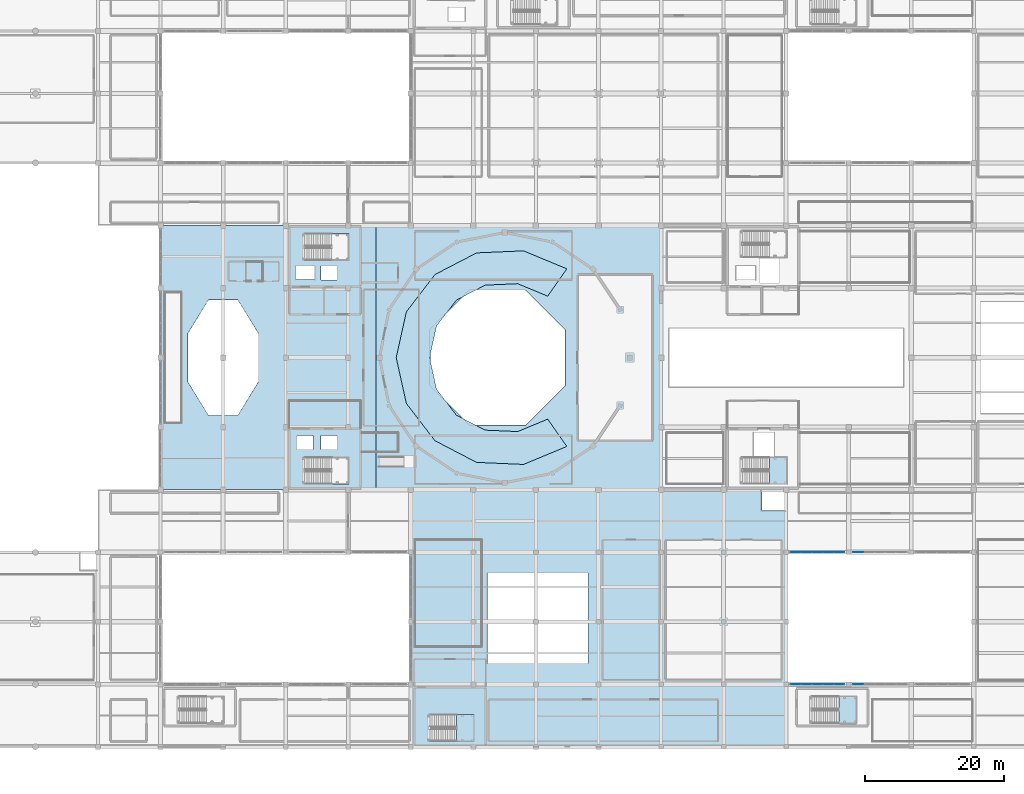
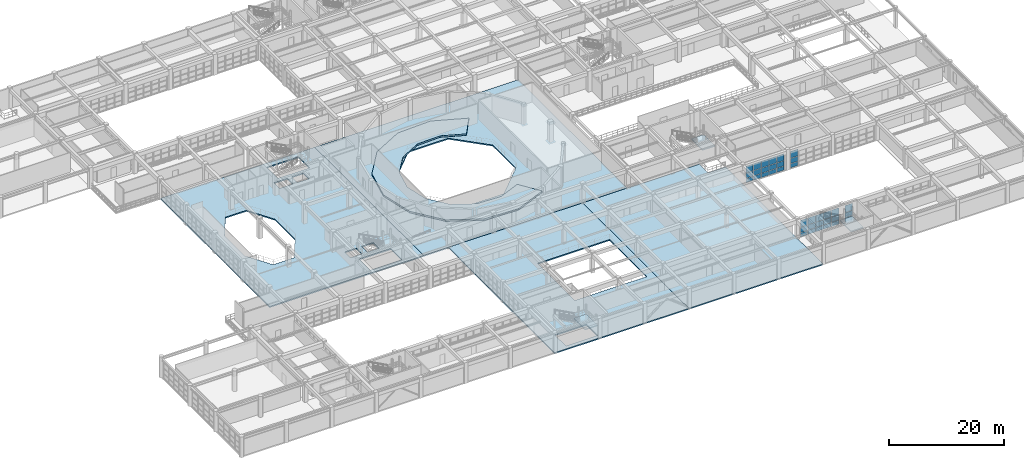
# One storey, part 93 of 133: 36 plates, 8 slabs, 7 elements without a shape of their own.
"""IFC4 building model written with IfcOpenShell, lengths in metres."""

from ifc_helpers import new_model, si_unit, direction, frame, origin, origin_2d, place, context, subcontext, project, spatial, polyline, rectangle, outline, extrude, material, layer, layer_set, type_object, element, aggregate, save


model = new_model("IFC4")

# Units and contexts
model_context = context("Model", 3, precision=1e-05, world=origin(), true_north=direction((0.0, 1.0)))
body_context = subcontext(model_context, "Body", "Model", "MODEL_VIEW")
ifc_project = project(units=[si_unit("LENGTHUNIT", "METRE"), si_unit("AREAUNIT", "SQUARE_METRE"), si_unit("VOLUMEUNIT", "CUBIC_METRE"), si_unit("PLANEANGLEUNIT", "RADIAN"), si_unit("MASSUNIT", "GRAM", prefix="KILO")], contexts=[model_context])

# Site, building, storey
site_placement = place(None, origin())
site = spatial("IfcSite", under=ifc_project, at=site_placement, CompositionType="ELEMENT")
building_placement = place(site_placement, origin())
building = spatial("IfcBuilding", under=site, at=building_placement, Name="Miravela Opera House", CompositionType="ELEMENT")
storey_placement = place(building_placement, frame((0.0, 0.0, 5.10009765625)))
storey = spatial("IfcBuildingStorey", under=building, at=storey_placement, Name="L01", CompositionType="ELEMENT", Elevation=5.10009765625)

# Curtain wall, plates
ifc_material_1 = material(Name="Anodised architectural bronze aluminium 6063-T6", Category="aluminium")
curtain_wall_type = type_object("IfcCurtainWallType", Name="ARC-CW-06", PredefinedType="NOTDEFINED", material=ifc_material_1)
curtain_wall_1_placement = place(storey_placement, origin())
curtain_wall_1 = element("IfcCurtainWall", 1, at=curtain_wall_1_placement, inside=storey, type_object=curtain_wall_type, Name="Courtyard Arcade Curtain Wall CW-L01-170", PredefinedType="NOTDEFINED")
ifc_material_2 = material(Name="Acoustic laminated low-E insulating glass", Category="glass")
ifc_layer_1 = layer(ifc_material_2, 0.028076171875)
ifc_layer_set_1 = layer_set([ifc_layer_1])
plate_type = type_object("IfcPlateType", Name="ARC-CWP-28", PredefinedType="CURTAIN_PANEL", material=ifc_layer_set_1)
plate_1_placement = place(storey_placement, frame((118.37890625, 28.0, 0.06005859375), z_axis=(0.0, 0.0, 1.0), x_axis=(1.0, 0.0, 0.0)))
plate_1 = element("IfcPlate", 2, at=plate_1_placement, type_object=plate_type, Name="CW-06 panel 1.1", PredefinedType="CURTAIN_PANEL", context=body_context, shape_type="SweptSolid", body=[
    extrude(rectangle(XDim=1.47802734375, YDim=0.028076171875, at=origin_2d()), origin(), (0.0, 0.0, 1.0), 0.860107421875),
])
plate_2_placement = place(storey_placement, frame((118.37890625, 28.0, 0.97998046875), z_axis=(0.0, 0.0, 1.0), x_axis=(1.0, 0.0, 0.0)))
plate_2 = element("IfcPlate", 3, at=plate_2_placement, type_object=plate_type, Name="CW-06 panel 1.2", PredefinedType="CURTAIN_PANEL", context=body_context, shape_type="SweptSolid", body=[
    extrude(rectangle(XDim=1.47802734375, YDim=0.028076171875, at=origin_2d()), origin(), (0.0, 0.0, 1.0), 1.083740234375),
])
plate_3_placement = place(storey_placement, frame((118.37890625, 28.0, 2.123779296875), z_axis=(0.0, 0.0, 1.0), x_axis=(1.0, 0.0, 0.0)))
plate_3 = element("IfcPlate", 4, at=plate_3_placement, type_object=plate_type, Name="CW-06 panel 1.3", PredefinedType="CURTAIN_PANEL", context=body_context, shape_type="SweptSolid", body=[
    extrude(rectangle(XDim=1.47802734375, YDim=0.028076171875, at=origin_2d()), origin(), (0.0, 0.0, 1.0), 1.42626953125),
])
plate_4_placement = place(storey_placement, frame((119.931884765625, 28.0, 0.06005859375), z_axis=(0.0, 0.0, 1.0), x_axis=(1.0, 0.0, 0.0)))
plate_4 = element("IfcPlate", 5, at=plate_4_placement, type_object=plate_type, Name="CW-06 panel 2.1", PredefinedType="CURTAIN_PANEL", context=body_context, shape_type="SweptSolid", body=[
    extrude(rectangle(XDim=1.508056640625, YDim=0.028076171875, at=origin_2d()), origin(), (0.0, 0.0, 1.0), 0.860107421875),
])
plate_5_placement = place(storey_placement, frame((119.931884765625, 28.0, 0.97998046875), z_axis=(0.0, 0.0, 1.0), x_axis=(1.0, 0.0, 0.0)))
plate_5 = element("IfcPlate", 6, at=plate_5_placement, type_object=plate_type, Name="CW-06 panel 2.2", PredefinedType="CURTAIN_PANEL", context=body_context, shape_type="SweptSolid", body=[
    extrude(rectangle(XDim=1.508056640625, YDim=0.028076171875, at=origin_2d()), origin(), (0.0, 0.0, 1.0), 1.083740234375),
])
plate_6_placement = place(storey_placement, frame((119.931884765625, 28.0, 2.123779296875), z_axis=(0.0, 0.0, 1.0), x_axis=(1.0, 0.0, 0.0)))
plate_6 = element("IfcPlate", 7, at=plate_6_placement, type_object=plate_type, Name="CW-06 panel 2.3", PredefinedType="CURTAIN_PANEL", context=body_context, shape_type="SweptSolid", body=[
    extrude(rectangle(XDim=1.508056640625, YDim=0.028076171875, at=origin_2d()), origin(), (0.0, 0.0, 1.0), 1.42626953125),
])
plate_7_placement = place(storey_placement, frame((121.5, 28.0, 0.06005859375), z_axis=(0.0, 0.0, 1.0), x_axis=(1.0, 0.0, 0.0)))
plate_7 = element("IfcPlate", 8, at=plate_7_placement, type_object=plate_type, Name="CW-06 panel 3.1", PredefinedType="CURTAIN_PANEL", context=body_context, shape_type="SweptSolid", body=[
    extrude(rectangle(XDim=1.508056640625, YDim=0.028076171875, at=origin_2d()), origin(), (0.0, 0.0, 1.0), 0.860107421875),
])
plate_8_placement = place(storey_placement, frame((121.5, 28.0, 0.97998046875), z_axis=(0.0, 0.0, 1.0), x_axis=(1.0, 0.0, 0.0)))
plate_8 = element("IfcPlate", 9, at=plate_8_placement, type_object=plate_type, Name="CW-06 panel 3.2", PredefinedType="CURTAIN_PANEL", context=body_context, shape_type="SweptSolid", body=[
    extrude(rectangle(XDim=1.508056640625, YDim=0.028076171875, at=origin_2d()), origin(), (0.0, 0.0, 1.0), 1.083740234375),
])
plate_9_placement = place(storey_placement, frame((121.5, 28.0, 2.123779296875), z_axis=(0.0, 0.0, 1.0), x_axis=(1.0, 0.0, 0.0)))
plate_9 = element("IfcPlate", 10, at=plate_9_placement, type_object=plate_type, Name="CW-06 panel 3.3", PredefinedType="CURTAIN_PANEL", context=body_context, shape_type="SweptSolid", body=[
    extrude(rectangle(XDim=1.508056640625, YDim=0.028076171875, at=origin_2d()), origin(), (0.0, 0.0, 1.0), 1.42626953125),
])
plate_10_placement = place(storey_placement, frame((123.068115234375, 28.0, 0.06005859375), z_axis=(0.0, 0.0, 1.0), x_axis=(1.0, 0.0, 0.0)))
plate_10 = element("IfcPlate", 11, at=plate_10_placement, type_object=plate_type, Name="CW-06 panel 4.1", PredefinedType="CURTAIN_PANEL", context=body_context, shape_type="SweptSolid", body=[
    extrude(rectangle(XDim=1.508056640625, YDim=0.028076171875, at=origin_2d()), origin(), (0.0, 0.0, 1.0), 0.860107421875),
])
plate_11_placement = place(storey_placement, frame((123.068115234375, 28.0, 0.97998046875), z_axis=(0.0, 0.0, 1.0), x_axis=(1.0, 0.0, 0.0)))
plate_11 = element("IfcPlate", 12, at=plate_11_placement, type_object=plate_type, Name="CW-06 panel 4.2", PredefinedType="CURTAIN_PANEL", context=body_context, shape_type="SweptSolid", body=[
    extrude(rectangle(XDim=1.508056640625, YDim=0.028076171875, at=origin_2d()), origin(), (0.0, 0.0, 1.0), 1.083740234375),
])
plate_12_placement = place(storey_placement, frame((123.068115234375, 28.0, 2.123779296875), z_axis=(0.0, 0.0, 1.0), x_axis=(1.0, 0.0, 0.0)))
plate_12 = element("IfcPlate", 13, at=plate_12_placement, type_object=plate_type, Name="CW-06 panel 4.3", PredefinedType="CURTAIN_PANEL", context=body_context, shape_type="SweptSolid", body=[
    extrude(rectangle(XDim=1.508056640625, YDim=0.028076171875, at=origin_2d()), origin(), (0.0, 0.0, 1.0), 1.42626953125),
])
plate_13_placement = place(storey_placement, frame((124.62109375, 28.0, 0.06005859375), z_axis=(0.0, 0.0, 1.0), x_axis=(1.0, 0.0, 0.0)))
plate_13 = element("IfcPlate", 14, at=plate_13_placement, type_object=plate_type, Name="CW-06 panel 5.1", PredefinedType="CURTAIN_PANEL", context=body_context, shape_type="SweptSolid", body=[
    extrude(rectangle(XDim=1.47802734375, YDim=0.028076171875, at=origin_2d()), origin(), (0.0, 0.0, 1.0), 0.860107421875),
])
plate_14_placement = place(storey_placement, frame((124.62109375, 28.0, 0.97998046875), z_axis=(0.0, 0.0, 1.0), x_axis=(1.0, 0.0, 0.0)))
plate_14 = element("IfcPlate", 15, at=plate_14_placement, type_object=plate_type, Name="CW-06 panel 5.2", PredefinedType="CURTAIN_PANEL", context=body_context, shape_type="SweptSolid", body=[
    extrude(rectangle(XDim=1.47802734375, YDim=0.028076171875, at=origin_2d()), origin(), (0.0, 0.0, 1.0), 1.083740234375),
])
plate_15_placement = place(storey_placement, frame((124.62109375, 28.0, 2.123779296875), z_axis=(0.0, 0.0, 1.0), x_axis=(1.0, 0.0, 0.0)))
plate_15 = element("IfcPlate", 16, at=plate_15_placement, type_object=plate_type, Name="CW-06 panel 5.3", PredefinedType="CURTAIN_PANEL", context=body_context, shape_type="SweptSolid", body=[
    extrude(rectangle(XDim=1.47802734375, YDim=0.028076171875, at=origin_2d()), origin(), (0.0, 0.0, 1.0), 1.42626953125),
])
aggregate(curtain_wall_1, [plate_1, plate_2, plate_3, plate_4, plate_5, plate_6, plate_7, plate_8, plate_9, plate_10, plate_11, plate_12, plate_13, plate_14, plate_15])

curtain_wall_2_placement = place(storey_placement, origin())
curtain_wall_2 = element("IfcCurtainWall", 17, at=curtain_wall_2_placement, inside=storey, type_object=curtain_wall_type, Name="Courtyard Arcade Curtain Wall CW-L01-171", PredefinedType="NOTDEFINED")
plate_16_placement = place(storey_placement, frame((118.37890625, 9.0, 0.06005859375), z_axis=(0.0, 0.0, 1.0), x_axis=(1.0, 0.0, 0.0)))
plate_16 = element("IfcPlate", 18, at=plate_16_placement, type_object=plate_type, Name="CW-06 panel 1.1", PredefinedType="CURTAIN_PANEL", context=body_context, shape_type="SweptSolid", body=[
    extrude(rectangle(XDim=1.47802734375, YDim=0.028076171875, at=origin_2d()), origin(), (0.0, 0.0, 1.0), 0.860107421875),
])
plate_17_placement = place(storey_placement, frame((118.37890625, 9.0, 0.97998046875), z_axis=(0.0, 0.0, 1.0), x_axis=(1.0, 0.0, 0.0)))
plate_17 = element("IfcPlate", 19, at=plate_17_placement, type_object=plate_type, Name="CW-06 panel 1.2", PredefinedType="CURTAIN_PANEL", context=body_context, shape_type="SweptSolid", body=[
    extrude(rectangle(XDim=1.47802734375, YDim=0.028076171875, at=origin_2d()), origin(), (0.0, 0.0, 1.0), 1.083740234375),
])
plate_18_placement = place(storey_placement, frame((118.37890625, 9.0, 2.123779296875), z_axis=(0.0, 0.0, 1.0), x_axis=(1.0, 0.0, 0.0)))
plate_18 = element("IfcPlate", 20, at=plate_18_placement, type_object=plate_type, Name="CW-06 panel 1.3", PredefinedType="CURTAIN_PANEL", context=body_context, shape_type="SweptSolid", body=[
    extrude(rectangle(XDim=1.47802734375, YDim=0.028076171875, at=origin_2d()), origin(), (0.0, 0.0, 1.0), 1.42626953125),
])
plate_19_placement = place(storey_placement, frame((119.931884765625, 9.0, 0.06005859375), z_axis=(0.0, 0.0, 1.0), x_axis=(1.0, 0.0, 0.0)))
plate_19 = element("IfcPlate", 21, at=plate_19_placement, type_object=plate_type, Name="CW-06 panel 2.1", PredefinedType="CURTAIN_PANEL", context=body_context, shape_type="SweptSolid", body=[
    extrude(rectangle(XDim=1.508056640625, YDim=0.028076171875, at=origin_2d()), origin(), (0.0, 0.0, 1.0), 0.860107421875),
])
plate_20_placement = place(storey_placement, frame((119.931884765625, 9.0, 0.97998046875), z_axis=(0.0, 0.0, 1.0), x_axis=(1.0, 0.0, 0.0)))
plate_20 = element("IfcPlate", 22, at=plate_20_placement, type_object=plate_type, Name="CW-06 panel 2.2", PredefinedType="CURTAIN_PANEL", context=body_context, shape_type="SweptSolid", body=[
    extrude(rectangle(XDim=1.508056640625, YDim=0.028076171875, at=origin_2d()), origin(), (0.0, 0.0, 1.0), 1.083740234375),
])
plate_21_placement = place(storey_placement, frame((119.931884765625, 9.0, 2.123779296875), z_axis=(0.0, 0.0, 1.0), x_axis=(1.0, 0.0, 0.0)))
plate_21 = element("IfcPlate", 23, at=plate_21_placement, type_object=plate_type, Name="CW-06 panel 2.3", PredefinedType="CURTAIN_PANEL", context=body_context, shape_type="SweptSolid", body=[
    extrude(rectangle(XDim=1.508056640625, YDim=0.028076171875, at=origin_2d()), origin(), (0.0, 0.0, 1.0), 1.42626953125),
])
plate_22_placement = place(storey_placement, frame((121.5, 9.0, 0.06005859375), z_axis=(0.0, 0.0, 1.0), x_axis=(1.0, 0.0, 0.0)))
plate_22 = element("IfcPlate", 24, at=plate_22_placement, type_object=plate_type, Name="CW-06 panel 3.1", PredefinedType="CURTAIN_PANEL", context=body_context, shape_type="SweptSolid", body=[
    extrude(rectangle(XDim=1.508056640625, YDim=0.028076171875, at=origin_2d()), origin(), (0.0, 0.0, 1.0), 0.860107421875),
])
plate_23_placement = place(storey_placement, frame((121.5, 9.0, 0.97998046875), z_axis=(0.0, 0.0, 1.0), x_axis=(1.0, 0.0, 0.0)))
plate_23 = element("IfcPlate", 25, at=plate_23_placement, type_object=plate_type, Name="CW-06 panel 3.2", PredefinedType="CURTAIN_PANEL", context=body_context, shape_type="SweptSolid", body=[
    extrude(rectangle(XDim=1.508056640625, YDim=0.028076171875, at=origin_2d()), origin(), (0.0, 0.0, 1.0), 1.083740234375),
])
plate_24_placement = place(storey_placement, frame((121.5, 9.0, 2.123779296875), z_axis=(0.0, 0.0, 1.0), x_axis=(1.0, 0.0, 0.0)))
plate_24 = element("IfcPlate", 26, at=plate_24_placement, type_object=plate_type, Name="CW-06 panel 3.3", PredefinedType="CURTAIN_PANEL", context=body_context, shape_type="SweptSolid", body=[
    extrude(rectangle(XDim=1.508056640625, YDim=0.028076171875, at=origin_2d()), origin(), (0.0, 0.0, 1.0), 1.42626953125),
])
plate_25_placement = place(storey_placement, frame((123.068115234375, 9.0, 0.06005859375), z_axis=(0.0, 0.0, 1.0), x_axis=(1.0, 0.0, 0.0)))
plate_25 = element("IfcPlate", 27, at=plate_25_placement, type_object=plate_type, Name="CW-06 panel 4.1", PredefinedType="CURTAIN_PANEL", context=body_context, shape_type="SweptSolid", body=[
    extrude(rectangle(XDim=1.508056640625, YDim=0.028076171875, at=origin_2d()), origin(), (0.0, 0.0, 1.0), 0.860107421875),
])
plate_26_placement = place(storey_placement, frame((123.068115234375, 9.0, 0.97998046875), z_axis=(0.0, 0.0, 1.0), x_axis=(1.0, 0.0, 0.0)))
plate_26 = element("IfcPlate", 28, at=plate_26_placement, type_object=plate_type, Name="CW-06 panel 4.2", PredefinedType="CURTAIN_PANEL", context=body_context, shape_type="SweptSolid", body=[
    extrude(rectangle(XDim=1.508056640625, YDim=0.028076171875, at=origin_2d()), origin(), (0.0, 0.0, 1.0), 1.083740234375),
])
plate_27_placement = place(storey_placement, frame((123.068115234375, 9.0, 2.123779296875), z_axis=(0.0, 0.0, 1.0), x_axis=(1.0, 0.0, 0.0)))
plate_27 = element("IfcPlate", 29, at=plate_27_placement, type_object=plate_type, Name="CW-06 panel 4.3", PredefinedType="CURTAIN_PANEL", context=body_context, shape_type="SweptSolid", body=[
    extrude(rectangle(XDim=1.508056640625, YDim=0.028076171875, at=origin_2d()), origin(), (0.0, 0.0, 1.0), 1.42626953125),
])
plate_28_placement = place(storey_placement, frame((124.62109375, 9.0, 0.06005859375), z_axis=(0.0, 0.0, 1.0), x_axis=(1.0, 0.0, 0.0)))
plate_28 = element("IfcPlate", 30, at=plate_28_placement, type_object=plate_type, Name="CW-06 panel 5.1", PredefinedType="CURTAIN_PANEL", context=body_context, shape_type="SweptSolid", body=[
    extrude(rectangle(XDim=1.47802734375, YDim=0.028076171875, at=origin_2d()), origin(), (0.0, 0.0, 1.0), 0.860107421875),
])
plate_29_placement = place(storey_placement, frame((124.62109375, 9.0, 0.97998046875), z_axis=(0.0, 0.0, 1.0), x_axis=(1.0, 0.0, 0.0)))
plate_29 = element("IfcPlate", 31, at=plate_29_placement, type_object=plate_type, Name="CW-06 panel 5.2", PredefinedType="CURTAIN_PANEL", context=body_context, shape_type="SweptSolid", body=[
    extrude(rectangle(XDim=1.47802734375, YDim=0.028076171875, at=origin_2d()), origin(), (0.0, 0.0, 1.0), 1.083740234375),
])
plate_30_placement = place(storey_placement, frame((124.62109375, 9.0, 2.123779296875), z_axis=(0.0, 0.0, 1.0), x_axis=(1.0, 0.0, 0.0)))
plate_30 = element("IfcPlate", 32, at=plate_30_placement, type_object=plate_type, Name="CW-06 panel 5.3", PredefinedType="CURTAIN_PANEL", context=body_context, shape_type="SweptSolid", body=[
    extrude(rectangle(XDim=1.47802734375, YDim=0.028076171875, at=origin_2d()), origin(), (0.0, 0.0, 1.0), 1.42626953125),
])
aggregate(curtain_wall_2, [plate_16, plate_17, plate_18, plate_19, plate_20, plate_21, plate_22, plate_23, plate_24, plate_25, plate_26, plate_27, plate_28, plate_29, plate_30])

curtain_wall_3_placement = place(storey_placement, origin())
curtain_wall_3 = element("IfcCurtainWall", 33, at=curtain_wall_3_placement, inside=storey, type_object=curtain_wall_type, Name="Courtyard Arcade Curtain Wall CW-L01-174", PredefinedType="NOTDEFINED")
plate_31_placement = place(storey_placement, frame((127.37890625, 28.0, 0.06005859375), z_axis=(0.0, 0.0, 1.0), x_axis=(1.0, 0.0, 0.0)))
plate_31 = element("IfcPlate", 34, at=plate_31_placement, type_object=plate_type, Name="CW-06 panel 1.1", PredefinedType="CURTAIN_PANEL", context=body_context, shape_type="SweptSolid", body=[
    extrude(rectangle(XDim=1.47802734375, YDim=0.028076171875, at=origin_2d()), origin(), (0.0, 0.0, 1.0), 0.860107421875),
])
plate_32_placement = place(storey_placement, frame((127.37890625, 28.0, 0.97998046875), z_axis=(0.0, 0.0, 1.0), x_axis=(1.0, 0.0, 0.0)))
plate_32 = element("IfcPlate", 35, at=plate_32_placement, type_object=plate_type, Name="CW-06 panel 1.2", PredefinedType="CURTAIN_PANEL", context=body_context, shape_type="SweptSolid", body=[
    extrude(rectangle(XDim=1.47802734375, YDim=0.028076171875, at=origin_2d()), origin(), (0.0, 0.0, 1.0), 1.083740234375),
])
plate_33_placement = place(storey_placement, frame((127.37890625, 28.0, 2.123779296875), z_axis=(0.0, 0.0, 1.0), x_axis=(1.0, 0.0, 0.0)))
plate_33 = element("IfcPlate", 36, at=plate_33_placement, type_object=plate_type, Name="CW-06 panel 1.3", PredefinedType="CURTAIN_PANEL", context=body_context, shape_type="SweptSolid", body=[
    extrude(rectangle(XDim=1.47802734375, YDim=0.028076171875, at=origin_2d()), origin(), (0.0, 0.0, 1.0), 1.42626953125),
])
aggregate(curtain_wall_3, [plate_31, plate_32, plate_33])

curtain_wall_4_placement = place(storey_placement, origin())
curtain_wall_4 = element("IfcCurtainWall", 37, at=curtain_wall_4_placement, inside=storey, type_object=curtain_wall_type, Name="Courtyard Arcade Curtain Wall CW-L01-175", PredefinedType="NOTDEFINED")
plate_34_placement = place(storey_placement, frame((127.37890625, 9.0, 0.06005859375), z_axis=(0.0, 0.0, 1.0), x_axis=(1.0, 0.0, 0.0)))
plate_34 = element("IfcPlate", 38, at=plate_34_placement, type_object=plate_type, Name="CW-06 panel 1.1", PredefinedType="CURTAIN_PANEL", context=body_context, shape_type="SweptSolid", body=[
    extrude(rectangle(XDim=1.47802734375, YDim=0.028076171875, at=origin_2d()), origin(), (0.0, 0.0, 1.0), 0.860107421875),
])
plate_35_placement = place(storey_placement, frame((127.37890625, 9.0, 0.97998046875), z_axis=(0.0, 0.0, 1.0), x_axis=(1.0, 0.0, 0.0)))
plate_35 = element("IfcPlate", 39, at=plate_35_placement, type_object=plate_type, Name="CW-06 panel 1.2", PredefinedType="CURTAIN_PANEL", context=body_context, shape_type="SweptSolid", body=[
    extrude(rectangle(XDim=1.47802734375, YDim=0.028076171875, at=origin_2d()), origin(), (0.0, 0.0, 1.0), 1.083740234375),
])
plate_36_placement = place(storey_placement, frame((127.37890625, 9.0, 2.123779296875), z_axis=(0.0, 0.0, 1.0), x_axis=(1.0, 0.0, 0.0)))
plate_36 = element("IfcPlate", 40, at=plate_36_placement, type_object=plate_type, Name="CW-06 panel 1.3", PredefinedType="CURTAIN_PANEL", context=body_context, shape_type="SweptSolid", body=[
    extrude(rectangle(XDim=1.47802734375, YDim=0.028076171875, at=origin_2d()), origin(), (0.0, 0.0, 1.0), 1.42626953125),
])
aggregate(curtain_wall_4, [plate_34, plate_35, plate_36])

# Stair, slab
ifc_material_3 = material(Name="Concrete C35/45", Category="concrete")
stair_type_1 = type_object("IfcStairType", Name="ARC-STAIR-CORE-1680", PredefinedType="HALF_TURN_STAIR", material=ifc_material_3)
stair_1_placement = place(storey_placement, origin())
stair_1 = element("IfcStair", 41, at=stair_1_placement, inside=storey, type_object=stair_type_1, Name="L01 Core K4 South Stage Core Exit Stair ST-04", PredefinedType="HALF_TURN_STAIR")
ifc_layer_2 = layer(ifc_material_3, 0.199951171875)
ifc_layer_set_2 = layer_set([ifc_layer_2])
slab_type_1 = type_object("IfcSlabType", Name="ARC-LANDING-200", PredefinedType="LANDING", material=ifc_layer_set_2)
slab_1_placement = place(storey_placement, frame((0.0, 0.0, 2.010009765625)))
slab_1 = element("IfcSlab", 42, at=slab_1_placement, type_object=slab_type_1, Name="ST-04 landing 1", PredefinedType="LANDING", context=body_context, shape_type="SweptSolid", body=[
    extrude(outline(polyline([(114.580078125, 37.800048828125), (117.10009765625, 37.800048828125), (117.10009765625, 41.679931640625), (114.580078125, 41.679931640625), (114.580078125, 37.800048828125)])), origin(), (0.0, 0.0, 1.0), 0.199951171875),
])
aggregate(stair_1, [slab_1])

stair_2_placement = place(storey_placement, origin())
stair_2 = element("IfcStair", 43, at=stair_2_placement, inside=storey, type_object=stair_type_1, Name="L01 Core K6 South Artist Core Exit Stair ST-06", PredefinedType="HALF_TURN_STAIR")
slab_2_placement = place(storey_placement, frame((0.0, 0.0, 2.010009765625)))
slab_2 = element("IfcSlab", 44, at=slab_2_placement, type_object=slab_type_1, Name="ST-06 landing 1", PredefinedType="LANDING", context=body_context, shape_type="SweptSolid", body=[
    extrude(outline(polyline([(69.580078125, 0.800048828125), (72.10009765625, 0.800048828125), (72.10009765625, 4.679931640625), (69.580078125, 4.679931640625), (69.580078125, 0.800048828125)])), origin(), (0.0, 0.0, 1.0), 0.199951171875),
])
aggregate(stair_2, [slab_2])

stair_type_2 = type_object("IfcStairType", Name="ARC-STAIR-WING-1680", PredefinedType="HALF_TURN_STAIR", material=ifc_material_3)
stair_3_placement = place(storey_placement, origin())
stair_3 = element("IfcStair", 45, at=stair_3_placement, inside=storey, type_object=stair_type_2, Name="L01 East Workshop Wing Exit Stair ST-10", PredefinedType="HALF_TURN_STAIR")
ifc_layer_3 = layer(ifc_material_3, 0.215087890625)
ifc_layer_set_3 = layer_set([ifc_layer_3])
slab_type_2 = type_object("IfcSlabType", Name="ARC-LANDING-215", PredefinedType="LANDING", material=ifc_layer_set_3)
slab_3_placement = place(storey_placement, frame((0.0, 0.0, 1.994873046875)))
slab_3 = element("IfcSlab", 46, at=slab_3_placement, type_object=slab_type_2, Name="ST-10 landing 1", PredefinedType="LANDING", context=body_context, shape_type="SweptSolid", body=[
    extrude(outline(polyline([(124.580078125, 3.39990234375), (127.10009765625, 3.39990234375), (127.10009765625, 7.280029296875), (124.580078125, 7.280029296875), (124.580078125, 3.39990234375)])), origin(), (0.0, 0.0, 1.0), 0.215087890625),
])
aggregate(stair_3, [slab_3])

# Slabs
ifc_layer_4 = layer(ifc_material_3, 0.25)
ifc_layer_set_4 = layer_set([ifc_layer_4])
slab_type_3 = type_object("IfcSlabType", Name="STR-SLAB-FLR-250", PredefinedType="FLOOR", material=ifc_layer_set_4)
slab_4_placement = place(storey_placement, frame((0.0, 0.0, -0.25)))
element("IfcSlab", 47, at=slab_4_placement, inside=storey, type_object=slab_type_3, Name="Level L01 Floor Slab SLAB-L01-V1W", PredefinedType="FLOOR", context=body_context, shape_type="SweptSolid", body=[
    extrude(outline(polyline([(27.0, 37.0), (58.0, 37.0), (58.0, 75.0), (27.0, 75.0), (27.0, 37.0)]), holes=[polyline([(47.739990234375, 70.0), (54.10009765625, 70.0), (54.10009765625, 73.8798828125), (47.739990234375, 73.8798828125), (47.739990234375, 70.0)]), polyline([(47.739990234375, 37.800048828125), (54.10009765625, 37.800048828125), (54.10009765625, 41.679931640625), (47.739990234375, 41.679931640625), (47.739990234375, 37.800048828125)]), polyline([(46.449951171875, 67.22509765625), (49.14990234375, 67.22509765625), (49.14990234375, 69.175048828125), (46.449951171875, 69.175048828125), (46.449951171875, 67.22509765625)]), polyline([(50.050048828125, 67.199951171875), (52.35009765625, 67.199951171875), (52.35009765625, 69.199951171875), (50.050048828125, 69.199951171875), (50.050048828125, 67.199951171875)]), polyline([(46.64990234375, 42.800048828125), (48.949951171875, 42.800048828125), (48.949951171875, 44.800048828125), (46.64990234375, 44.800048828125), (46.64990234375, 42.800048828125)]), polyline([(50.050048828125, 42.800048828125), (52.35009765625, 42.800048828125), (52.35009765625, 44.800048828125), (50.050048828125, 44.800048828125), (50.050048828125, 42.800048828125)]), polyline([(41.081298828125, 59.444091796875), (38.104736328125, 64.31494140625), (33.895263671875, 64.31494140625), (30.918701171875, 59.444091796875), (30.918701171875, 52.555908203125), (33.895263671875, 47.68505859375), (38.104736328125, 47.68505859375), (41.081298828125, 52.555908203125), (41.081298828125, 59.444091796875)])]), origin(), (0.0, 0.0, 1.0), 0.25),
])
slab_5_placement = place(storey_placement, frame((0.0, 0.0, -0.25)))
element("IfcSlab", 48, at=slab_5_placement, inside=storey, type_object=slab_type_3, Name="Level L01 Floor Slab SLAB-L01-V1E", PredefinedType="FLOOR", context=body_context, shape_type="SweptSolid", body=[
    extrude(outline(polyline([(58.0, 37.0), (99.0, 37.0), (99.0, 75.0), (58.0, 75.0), (58.0, 37.0)]), holes=[polyline([(85.20068359375, 60.018310546875), (79.518310546875, 65.70068359375), (71.481689453125, 65.70068359375), (65.79931640625, 60.018310546875), (65.79931640625, 51.981689453125), (71.481689453125, 46.29931640625), (79.518310546875, 46.29931640625), (85.20068359375, 51.981689453125), (85.20068359375, 60.018310546875)])]), origin(), (0.0, 0.0, 1.0), 0.25),
])
slab_6_placement = place(storey_placement, frame((0.0, 0.0, -0.25)))
element("IfcSlab", 49, at=slab_6_placement, inside=storey, type_object=slab_type_3, Name="Level L01 Floor Slab SLAB-L01-V4M1", PredefinedType="FLOOR", context=body_context, shape_type="SweptSolid", body=[
    extrude(outline(polyline([(63.0, 0.0), (90.0, 0.0), (90.0, 37.0), (63.0, 37.0), (63.0, 0.0)]), holes=[polyline([(65.739990234375, 0.800048828125), (72.10009765625, 0.800048828125), (72.10009765625, 4.679931640625), (65.739990234375, 4.679931640625), (65.739990234375, 0.800048828125)]), polyline([(74.0, 12.0), (88.5, 12.0), (88.5, 25.0), (74.0, 25.0), (74.0, 12.0)])]), origin(), (0.0, 0.0, 1.0), 0.25),
])
slab_7_placement = place(storey_placement, frame((0.0, 0.0, -0.25)))
element("IfcSlab", 50, at=slab_7_placement, inside=storey, type_object=slab_type_3, Name="Level L01 Floor Slab SLAB-L01-V4M2", PredefinedType="FLOOR", context=body_context, shape_type="SweptSolid", body=[
    extrude(outline(polyline([(90.0, 0.0), (117.0, 0.0), (117.0, 34.0), (113.5, 34.0), (113.5, 37.0), (90.0, 37.0), (90.0, 0.0)])), origin(), (0.0, 0.0, 1.0), 0.25),
])
ifc_material_4 = material(Name="Precast concrete C40/50", Category="concrete")
ifc_layer_5 = layer(ifc_material_4, 0.219970703125)
ifc_layer_set_5 = layer_set([ifc_layer_5])
slab_type_4 = type_object("IfcSlabType", Name="STR-SLAB-TIER-220", PredefinedType="USERDEFINED", material=ifc_layer_set_5)
slab_8_placement = place(storey_placement, frame((0.0, 0.0, 0.02001953125)))
element("IfcSlab", 51, at=slab_8_placement, inside=storey, type_object=slab_type_4, Name="Stand Main Auditorium Horseshoe Tier 2 (L01)", ObjectType="SEATING TIER", PredefinedType="USERDEFINED", context=body_context, shape_type="SweptSolid", body=[
    extrude(outline(polyline([(85.44775390625, 68.77880859375), (79.208984375, 71.363037109375), (72.46240234375, 71.068359375), (66.472412109375, 67.9501953125), (62.361572265625, 62.5927734375), (60.89990234375, 56.0), (62.361572265625, 49.4072265625), (66.472412109375, 44.0498046875), (72.46240234375, 40.931640625), (79.208984375, 40.636962890625), (85.44775390625, 43.22119140625), (82.694580078125, 47.1533203125), (78.37548828125, 45.364013671875), (73.704833984375, 45.568115234375), (69.557861328125, 47.726806640625), (66.7119140625, 51.435791015625), (65.699951171875, 56.0), (66.7119140625, 60.564208984375), (69.557861328125, 64.273193359375), (73.704833984375, 66.431884765625), (78.37548828125, 66.635986328125), (82.694580078125, 64.8466796875), (85.44775390625, 68.77880859375)])), origin(), (0.0, 0.0, 1.0), 0.31982421875),
])

save(model, "model.ifc")
